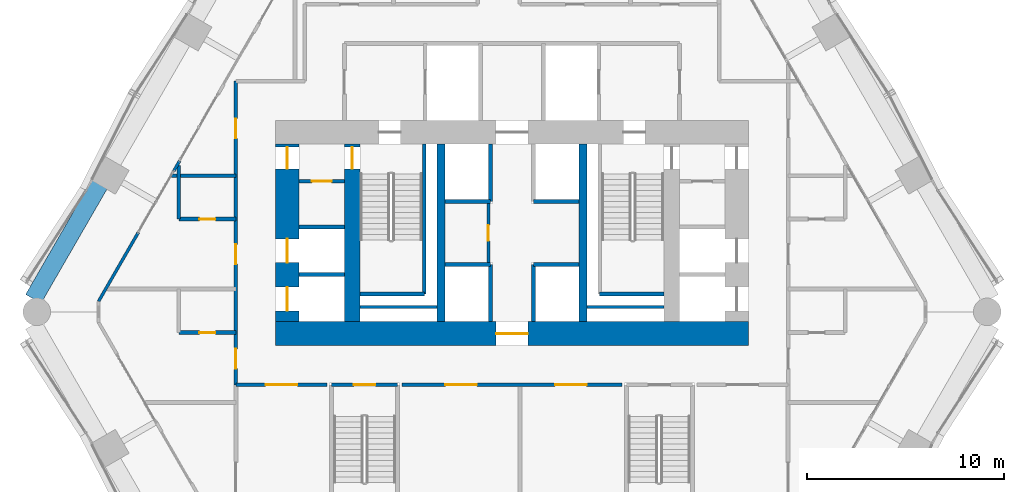
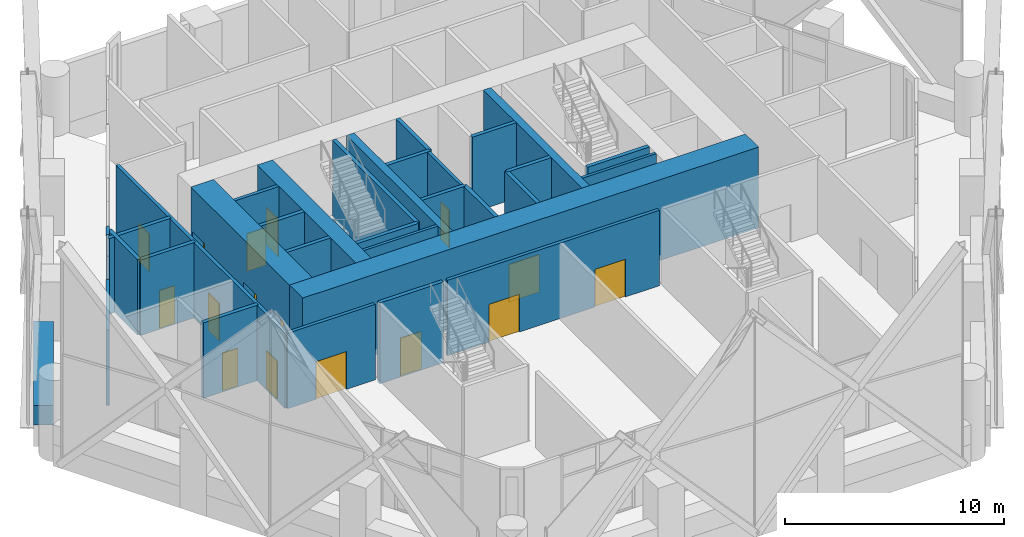
# One storey, part 37 of 46: 32 walls, 16 doors, 16 openings.
"""IFC4 building model written with IfcOpenShell, lengths in metres."""

from ifc_helpers import new_model, si_unit, direction, frame, frame_2d, origin, place, context, subcontext, project, spatial, rectangle, extrude, material, layer, layer_set, type_object, element, fill, save


model = new_model("IFC4")

# Units and contexts
model_context = context("Model", 3, precision=1e-05, world=origin(), true_north=direction((0.0, 1.0)))
body_context = subcontext(model_context, "Body", "Model", "MODEL_VIEW")
ifc_project = project(units=[si_unit("LENGTHUNIT", "METRE"), si_unit("AREAUNIT", "SQUARE_METRE"), si_unit("VOLUMEUNIT", "CUBIC_METRE"), si_unit("PLANEANGLEUNIT", "RADIAN"), si_unit("MASSUNIT", "GRAM", prefix="KILO")], contexts=[model_context])

# Site, building, storey
site_placement = place(None, origin())
site = spatial("IfcSite", under=ifc_project, at=site_placement, CompositionType="ELEMENT")
building_placement = place(site_placement, origin())
building = spatial("IfcBuilding", under=site, at=building_placement, Name="Ostrander Bayou Hotel Tower", CompositionType="ELEMENT")
storey_placement = place(building_placement, frame((0.0, 0.0, 23.5)))
storey = spatial("IfcBuildingStorey", under=building, at=storey_placement, Name="L05", CompositionType="ELEMENT", Elevation=23.5)

# Wall, opening, door
ifc_material_1 = material(Name="Concrete f'c 70 MPa", Category="concrete")
ifc_layer_1 = layer(ifc_material_1, 1.199951171875)
ifc_layer_set_1 = layer_set([ifc_layer_1], Name="CW1 core wall 1200 mm f'c 70 MPa")
wall_type_1 = type_object("IfcWallType", Name="CW1 core wall 1200 mm f'c 70 MPa", PredefinedType="SHEAR", material=ifc_layer_set_1)
wall_1_placement = place(storey_placement, frame((-12.0, -1.10009765625, -0.300048828125), z_axis=(0.0, 0.0, 1.0), x_axis=(1.0, 0.0, 0.0)))
wall_1 = element("IfcWall", 1, at=wall_1_placement, inside=storey, type_object=wall_type_1, Name="CW1 L05 S", PredefinedType="SHEAR", context=body_context, shape_type="SweptSolid", body=[
    extrude(rectangle(XDim=24.0, YDim=1.199951171875, at=frame_2d((12.0, 0.0))), origin(), (0.0, 0.0, 1.0), 4.5),
])
opening_1_placement = place(wall_1_placement, frame((11.199951171875, 0.0, 0.0)))
opening_1 = element("IfcOpeningElement", 2, at=opening_1_placement, cuts=wall_1, Name="Opening T05-001", PredefinedType="OPENING", context=body_context, shape_type="SweptSolid", body=[
    extrude(rectangle(XDim=1.60009765625, YDim=2.10009765625, at=frame_2d((0.800048828125, 1.050048828125))), frame((0.0, 0.60009765625, 0.0), z_axis=(0.0, -1.0, 0.0), x_axis=(1.0, 0.0, 0.0)), (0.0, 0.0, 1.0), 1.199951171875),
])
ifc_material_2 = material(Name="Timber door leaf", Category="wood")
door_type_1 = type_object("IfcDoorType", Name="D13 double door 1600 x 2100 mm, 1 hour", OperationType="SINGLE_SWING_LEFT", PredefinedType="DOOR", material=ifc_material_2)
door_1_placement = place(opening_1_placement, origin())
door_1 = element("IfcDoor", 3, at=door_1_placement, inside=storey, type_object=door_type_1, Name="dr:L05:001", OperationType="DOUBLE_DOOR_SINGLE_SWING", OverallHeight=2.10009765625, OverallWidth=1.60009765625, PredefinedType="DOOR", context=body_context, shape_type="SweptSolid", body=[
    extrude(rectangle(XDim=1.60009765625, YDim=2.10009765625, at=frame_2d((0.800048828125, 1.050048828125))), frame((0.0, 0.02490234375, 0.0), z_axis=(0.0, -1.0, 0.0), x_axis=(1.0, 0.0, 0.0)), (0.0, 0.0, 1.0), 0.050048828125),
])
fill(opening_1, door_1)

# Wall, openings, doors
wall_2_placement = place(storey_placement, frame((-11.39990234375, -0.5, -0.300048828125), z_axis=(0.0, 0.0, 1.0), x_axis=(0.0, 1.0, 0.0)))
wall_2 = element("IfcWall", 4, at=wall_2_placement, inside=storey, type_object=wall_type_1, Name="CW1 L05 RW", PredefinedType="SHEAR", context=body_context, shape_type="SweptSolid", body=[
    extrude(rectangle(XDim=9.0, YDim=1.199951171875, at=frame_2d((4.5, 0.0))), origin(), (0.0, 0.0, 1.0), 4.5),
])
opening_2_placement = place(wall_2_placement, frame((7.75, 0.0, 0.0)))
opening_2 = element("IfcOpeningElement", 5, at=opening_2_placement, cuts=wall_2, Name="Opening T05-015", PredefinedType="OPENING", context=body_context, shape_type="SweptSolid", body=[
    extrude(rectangle(XDim=1.10009765625, YDim=2.10009765625, at=frame_2d((0.550048828125, 1.050048828125))), frame((0.0, 0.60009765625, 0.0), z_axis=(0.0, -1.0, 0.0), x_axis=(1.0, 0.0, 0.0)), (0.0, 0.0, 1.0), 1.199951171875),
])
opening_3_placement = place(wall_2_placement, frame((0.550048828125, 0.0, 0.0)))
opening_3 = element("IfcOpeningElement", 6, at=opening_3_placement, cuts=wall_2, Name="Opening T05-016", PredefinedType="OPENING", context=body_context, shape_type="SweptSolid", body=[
    extrude(rectangle(XDim=1.199951171875, YDim=2.10009765625, at=frame_2d((0.60009765625, 1.050048828125))), frame((0.0, 0.60009765625, 0.0), z_axis=(0.0, -1.0, 0.0), x_axis=(1.0, 0.0, 0.0)), (0.0, 0.0, 1.0), 1.199951171875),
])
opening_4_placement = place(wall_2_placement, frame((3.0, 0.0, 0.0)))
opening_4 = element("IfcOpeningElement", 7, at=opening_4_placement, cuts=wall_2, Name="Opening T05-017", PredefinedType="OPENING", context=body_context, shape_type="SweptSolid", body=[
    extrude(rectangle(XDim=1.199951171875, YDim=2.10009765625, at=frame_2d((0.60009765625, 1.050048828125))), frame((0.0, 0.60009765625, 0.0), z_axis=(0.0, -1.0, 0.0), x_axis=(1.0, 0.0, 0.0)), (0.0, 0.0, 1.0), 1.199951171875),
])
ifc_material_3 = material(Name="Timber door leaf", Category="wood")
door_type_2 = type_object("IfcDoorType", Name="D5 stair door 1100 x 2100 mm, 90 minute", OperationType="SINGLE_SWING_LEFT", PredefinedType="DOOR", material=ifc_material_3)
door_2_placement = place(opening_2_placement, origin())
door_2 = element("IfcDoor", 8, at=door_2_placement, inside=storey, type_object=door_type_2, Name="dr:L05:015", OperationType="SINGLE_SWING_LEFT", OverallHeight=2.10009765625, OverallWidth=1.10009765625, PredefinedType="DOOR", context=body_context, shape_type="SweptSolid", body=[
    extrude(rectangle(XDim=1.10009765625, YDim=2.10009765625, at=frame_2d((0.550048828125, 1.050048828125))), frame((0.0, 0.02490234375, 0.0), z_axis=(0.0, -1.0, 0.0), x_axis=(1.0, 0.0, 0.0)), (0.0, 0.0, 1.0), 0.050048828125),
])
fill(opening_2, door_2)
ifc_material_4 = material(Name="Stainless steel sliding door", Category="steel")
door_type_3 = type_object("IfcDoorType", Name="LD1 lift landing door 1200 x 2100 mm", OperationType="SINGLE_SWING_LEFT", PredefinedType="DOOR", material=ifc_material_4)
door_3_placement = place(opening_3_placement, origin())
door_3 = element("IfcDoor", 9, at=door_3_placement, inside=storey, type_object=door_type_3, Name="dr:L05:016", OperationType="SLIDING_TO_LEFT", OverallHeight=2.10009765625, OverallWidth=1.199951171875, PredefinedType="DOOR", context=body_context, shape_type="SweptSolid", body=[
    extrude(rectangle(XDim=1.199951171875, YDim=2.10009765625, at=frame_2d((0.60009765625, 1.050048828125))), frame((0.0, 0.02490234375, 0.0), z_axis=(0.0, -1.0, 0.0), x_axis=(1.0, 0.0, 0.0)), (0.0, 0.0, 1.0), 0.050048828125),
])
fill(opening_3, door_3)
door_4_placement = place(opening_4_placement, origin())
door_4 = element("IfcDoor", 10, at=door_4_placement, inside=storey, type_object=door_type_3, Name="dr:L05:017", OperationType="SLIDING_TO_LEFT", OverallHeight=2.10009765625, OverallWidth=1.199951171875, PredefinedType="DOOR", context=body_context, shape_type="SweptSolid", body=[
    extrude(rectangle(XDim=1.199951171875, YDim=2.10009765625, at=frame_2d((0.60009765625, 1.050048828125))), frame((0.0, 0.02490234375, 0.0), z_axis=(0.0, -1.0, 0.0), x_axis=(1.0, 0.0, 0.0)), (0.0, 0.0, 1.0), 0.050048828125),
])
fill(opening_4, door_4)

# Wall, opening, door
ifc_material_5 = material(Name="Concrete f'c 70 MPa", Category="concrete")
ifc_layer_2 = layer(ifc_material_5, 0.800048828125)
ifc_layer_set_2 = layer_set([ifc_layer_2], Name="CW2 core spine wall 800 mm f'c 70 MPa")
wall_type_2 = type_object("IfcWallType", Name="CW2 core spine wall 800 mm f'c 70 MPa", PredefinedType="SHEAR", material=ifc_layer_set_2)
wall_3_placement = place(storey_placement, frame((-8.10009765625, -0.5, -0.300048828125), z_axis=(0.0, 0.0, 1.0), x_axis=(0.0, 1.0, 0.0)))
wall_3 = element("IfcWall", 11, at=wall_3_placement, inside=storey, type_object=wall_type_2, Name="CW2 L05 W", PredefinedType="SHEAR", context=body_context, shape_type="SweptSolid", body=[
    extrude(rectangle(XDim=9.0, YDim=0.800048828125, at=frame_2d((4.5, 0.0))), origin(), (0.0, 0.0, 1.0), 4.5),
])
opening_5_placement = place(wall_3_placement, frame((7.75, 0.0, 0.0)))
opening_5 = element("IfcOpeningElement", 12, at=opening_5_placement, cuts=wall_3, Name="Opening T05-004", PredefinedType="OPENING", context=body_context, shape_type="SweptSolid", body=[
    extrude(rectangle(XDim=1.10009765625, YDim=2.10009765625, at=frame_2d((0.550048828125, 1.050048828125))), frame((0.0, 0.39990234375, 0.0), z_axis=(0.0, -1.0, 0.0), x_axis=(1.0, 0.0, 0.0)), (0.0, 0.0, 1.0), 0.800048828125),
])
door_5_placement = place(opening_5_placement, origin())
door_5 = element("IfcDoor", 13, at=door_5_placement, inside=storey, type_object=door_type_2, Name="dr:L05:004", OperationType="SINGLE_SWING_RIGHT", OverallHeight=2.10009765625, OverallWidth=1.10009765625, PredefinedType="DOOR", context=body_context, shape_type="SweptSolid", body=[
    extrude(rectangle(XDim=1.10009765625, YDim=2.10009765625, at=frame_2d((0.550048828125, 1.050048828125))), frame((0.0, 0.02490234375, 0.0), z_axis=(0.0, -1.0, 0.0), x_axis=(1.0, 0.0, 0.0)), (0.0, 0.0, 1.0), 0.050048828125),
])
fill(opening_5, door_5)

# Walls
ifc_material_6 = material(Name="Concrete f'c 70 MPa", Category="concrete")
ifc_layer_3 = layer(ifc_material_6, 0.39990234375)
ifc_layer_set_3 = layer_set([ifc_layer_3], Name="CW3 core bank wall 400 mm f'c 70 MPa")
wall_type_3 = type_object("IfcWallType", Name="CW3 core bank wall 400 mm f'c 70 MPa", PredefinedType="SHEAR", material=ifc_layer_set_3)
for number, where, z_axis, x_axis, name in (
    (14, (-3.60009765625, -0.5, -0.300048828125), (0.0, 0.0, 1.0), (0.0, 1.0, 0.0), "CW3 L05 CW"),
    (15, (3.60009765625, -0.5, -0.300048828125), (0.0, 0.0, 1.0), (0.0, 1.0, 0.0), "CW3 L05 CE"),
):
    element("IfcWall", number, at=place(storey_placement, frame(where, z_axis=z_axis, x_axis=x_axis)), inside=storey, type_object=wall_type_3, Name=name, PredefinedType="SHEAR", context=body_context, shape_type="SweptSolid", body=[
        extrude(rectangle(XDim=9.0, YDim=0.39990234375, at=frame_2d((4.5, 0.0))), origin(), (0.0, 0.0, 1.0), 4.5),
    ])
ifc_material_7 = material(Name="Aluminium framed insulated wall", Category="aluminium")
ifc_layer_4 = layer(ifc_material_7, 0.14990234375)
ifc_layer_set_4 = layer_set([ifc_layer_4], Name="GW1 glass-line wall 150 mm")
wall_type_4 = type_object("IfcWallType", Name="GW1 glass-line wall 150 mm", PredefinedType="SOLIDWALL", material=ifc_layer_set_4)
wall_4_placement = place(storey_placement, frame((-18.95654296875, 4.016357421875, 0.0), z_axis=(0.0, 0.0, 1.0), x_axis=(-0.500009633848, -0.866019841608, 0.0)))
element("IfcWall", 16, at=wall_4_placement, inside=storey, type_object=wall_type_4, Name="GW1 L05 NW end 2", PredefinedType="SOLIDWALL", context=body_context, shape_type="SweptSolid", body=[
    extrude(rectangle(XDim=4.02294921875, YDim=0.14990234375, at=frame_2d((2.011474609375, 0.0))), origin(), (0.0, 0.0, 1.0), 4.199951171875),
])
wall_5_placement = place(storey_placement, frame((-16.8564453125, 7.65380859375, 0.0), z_axis=(0.0, 0.0, 1.0), x_axis=(-0.499945471869, -0.866056883327, 0.0)))
element("IfcWall", 17, at=wall_5_placement, inside=storey, type_object=wall_type_4, Name="GW1 L05 NW pier 4", PredefinedType="SOLIDWALL", context=body_context, shape_type="SweptSolid", body=[
    extrude(rectangle(XDim=0.60009765625, YDim=0.14990234375, at=frame_2d((0.300048828125, 0.0))), origin(), (0.0, 0.0, 1.0), 4.199951171875),
])
ifc_material_8 = material(Name="Concrete f'c 40 MPa", Category="concrete")
ifc_layer_5 = layer(ifc_material_8, 0.89990234375)
ifc_layer_set_5 = layer_set([ifc_layer_5], Name="PA1 stone-faced parapet 900 mm")
wall_type_5 = type_object("IfcWallType", Name="PA1 stone-faced parapet 900 mm", PredefinedType="PARAPET", material=ifc_layer_set_5)
wall_6_placement = place(storey_placement, frame((-20.92236328125, 6.46142578125, 0.0), z_axis=(0.0, 0.0, 1.0), x_axis=(-0.500005133765, -0.866022439784, 0.0)))
element("IfcWall", 18, at=wall_6_placement, inside=storey, type_object=wall_type_5, Name="PA1 L05 NW-3", PredefinedType="PARAPET", context=body_context, shape_type="SweptSolid", body=[
    extrude(rectangle(XDim=6.70361328125, YDim=0.89990234375, at=frame_2d((3.351806640625, 0.0))), origin(), (0.0, 0.0, 1.0), 1.10009765625),
])

# Wall, opening, door
ifc_material_9 = material(Name="Gypsum board partition", Category="finish")
ifc_layer_6 = layer(ifc_material_9, 0.199951171875)
ifc_layer_set_6 = layer_set([ifc_layer_6], Name="PT3 demising wall 200 mm acoustic double stud, 1 hour")
wall_type_6 = type_object("IfcWallType", Name="PT3 demising wall 200 mm acoustic double stud, 1 hour", PredefinedType="PARTITIONING", material=ifc_layer_set_6)
wall_7_placement = place(storey_placement, frame((-16.89990234375, -1.050048828125, 0.0), z_axis=(0.0, 0.0, 1.0), x_axis=(1.0, 0.0, 0.0)))
wall_7 = element("IfcWall", 19, at=wall_7_placement, inside=storey, type_object=wall_type_6, Name="sw:L05:016", PredefinedType="PARTITIONING", context=body_context, shape_type="SweptSolid", body=[
    extrude(rectangle(XDim=2.89990234375, YDim=0.199951171875, at=frame_2d((1.449951171875, 0.0))), origin(), (0.0, 0.0, 1.0), 4.199951171875),
])
opening_6_placement = place(wall_7_placement, frame((1.050048828125, 0.0, 0.0)))
opening_6 = element("IfcOpeningElement", 20, at=opening_6_placement, cuts=wall_7, Name="Opening T05-207", PredefinedType="OPENING", context=body_context, shape_type="SweptSolid", body=[
    extrude(rectangle(XDim=0.800048828125, YDim=2.10009765625, at=frame_2d((0.39990234375, 1.050048828125))), frame((0.0, 0.10009765625, 0.0), z_axis=(0.0, -1.0, 0.0), x_axis=(1.0, 0.0, 0.0)), (0.0, 0.0, 1.0), 0.199951171875),
])
ifc_material_10 = material(Name="Timber door leaf", Category="wood")
door_type_4 = type_object("IfcDoorType", Name="D2 bathroom door 800 x 2100 mm", OperationType="SINGLE_SWING_LEFT", PredefinedType="DOOR", material=ifc_material_10)
door_6_placement = place(opening_6_placement, origin())
door_6 = element("IfcDoor", 21, at=door_6_placement, inside=storey, type_object=door_type_4, Name="dr:L05:207", OperationType="SINGLE_SWING_LEFT", OverallHeight=2.10009765625, OverallWidth=0.800048828125, PredefinedType="DOOR", context=body_context, shape_type="SweptSolid", body=[
    extrude(rectangle(XDim=0.800048828125, YDim=2.10009765625, at=frame_2d((0.39990234375, 1.050048828125))), frame((0.0, 0.02490234375, 0.0), z_axis=(0.0, -1.0, 0.0), x_axis=(1.0, 0.0, 0.0)), (0.0, 0.0, 1.0), 0.050048828125),
])
fill(opening_6, door_6)

wall_8_placement = place(storey_placement, frame((-16.89990234375, 4.699951171875, 0.0), z_axis=(0.0, 0.0, 1.0), x_axis=(1.0, 0.0, 0.0)))
wall_8 = element("IfcWall", 22, at=wall_8_placement, inside=storey, type_object=wall_type_6, Name="sw:L05:020", PredefinedType="PARTITIONING", context=body_context, shape_type="SweptSolid", body=[
    extrude(rectangle(XDim=2.89990234375, YDim=0.199951171875, at=frame_2d((1.449951171875, 0.0))), origin(), (0.0, 0.0, 1.0), 4.199951171875),
])
opening_7_placement = place(wall_8_placement, frame((1.050048828125, 0.0, 0.0)))
opening_7 = element("IfcOpeningElement", 23, at=opening_7_placement, cuts=wall_8, Name="Opening T05-209", PredefinedType="OPENING", context=body_context, shape_type="SweptSolid", body=[
    extrude(rectangle(XDim=0.800048828125, YDim=2.10009765625, at=frame_2d((0.39990234375, 1.050048828125))), frame((0.0, 0.10009765625, 0.0), z_axis=(0.0, -1.0, 0.0), x_axis=(1.0, 0.0, 0.0)), (0.0, 0.0, 1.0), 0.199951171875),
])
door_7_placement = place(opening_7_placement, origin())
door_7 = element("IfcDoor", 24, at=door_7_placement, inside=storey, type_object=door_type_4, Name="dr:L05:209", OperationType="SINGLE_SWING_LEFT", OverallHeight=2.10009765625, OverallWidth=0.800048828125, PredefinedType="DOOR", context=body_context, shape_type="SweptSolid", body=[
    extrude(rectangle(XDim=0.800048828125, YDim=2.10009765625, at=frame_2d((0.39990234375, 1.050048828125))), frame((0.0, 0.02490234375, 0.0), z_axis=(0.0, -1.0, 0.0), x_axis=(1.0, 0.0, 0.0)), (0.0, 0.0, 1.0), 0.050048828125),
])
fill(opening_7, door_7)

# Walls
wall_9_placement = place(storey_placement, frame((-17.2705078125, 6.89990234375, 0.0), z_axis=(0.0, 0.0, 1.0), x_axis=(1.0, 0.0, 0.0)))
element("IfcWall", 25, at=wall_9_placement, inside=storey, type_object=wall_type_6, Name="sw:L05:022", PredefinedType="PARTITIONING", context=body_context, shape_type="SweptSolid", body=[
    extrude(rectangle(XDim=3.2705078125, YDim=0.199951171875, at=frame_2d((1.63525390625, 0.0))), origin(), (0.0, 0.0, 1.0), 4.199951171875),
])
wall_10_placement = place(storey_placement, frame((-16.89990234375, 4.699951171875, 0.0), z_axis=(0.0, 0.0, 1.0), x_axis=(0.0, 1.0, 0.0)))
element("IfcWall", 26, at=wall_10_placement, inside=storey, type_object=wall_type_6, Name="sw:L05:025", PredefinedType="PARTITIONING", context=body_context, shape_type="SweptSolid", body=[
    extrude(rectangle(XDim=2.723388671875, YDim=0.199951171875, at=frame_2d((1.36181640625, 0.0))), origin(), (0.0, 0.0, 1.0), 4.199951171875),
])

# Wall, opening, door
ifc_material_11 = material(Name="Gypsum board partition", Category="finish")
ifc_layer_7 = layer(ifc_material_11, 0.175048828125)
ifc_layer_set_7 = layer_set([ifc_layer_7], Name="PT4 corridor wall 175 mm, 1 hour")
wall_type_7 = type_object("IfcWallType", Name="PT4 corridor wall 175 mm, 1 hour", PredefinedType="PARTITIONING", material=ifc_layer_set_7)
wall_11_placement = place(storey_placement, frame((-10.800048828125, 6.614013671875, 0.0), z_axis=(0.0, 0.0, 1.0), x_axis=(1.0, 0.0, 0.0)))
wall_11 = element("IfcWall", 27, at=wall_11_placement, inside=storey, type_object=wall_type_7, Name="cs:L05:033", PredefinedType="PARTITIONING", context=body_context, shape_type="SweptSolid", body=[
    extrude(rectangle(XDim=2.300048828125, YDim=0.175048828125, at=frame_2d((1.14990234375, 0.0))), origin(), (0.0, 0.0, 1.0), 4.199951171875),
])
opening_8_placement = place(wall_11_placement, frame((0.64990234375, 0.0, 0.0)))
opening_8 = element("IfcOpeningElement", 28, at=opening_8_placement, cuts=wall_11, Name="Opening T05-014", PredefinedType="OPENING", context=body_context, shape_type="SweptSolid", body=[
    extrude(rectangle(XDim=1.0, YDim=2.10009765625, at=frame_2d((0.5, 1.050048828125))), frame((0.0, 0.08740234375, 0.0), z_axis=(0.0, -1.0, 0.0), x_axis=(1.0, 0.0, 0.0)), (0.0, 0.0, 1.0), 0.175048828125),
])
ifc_material_12 = material(Name="Timber door leaf", Category="wood")
door_type_5 = type_object("IfcDoorType", Name="D4 corridor door 1000 x 2100 mm, 1 hour", OperationType="SINGLE_SWING_LEFT", PredefinedType="DOOR", material=ifc_material_12)
door_8_placement = place(opening_8_placement, origin())
door_8 = element("IfcDoor", 29, at=door_8_placement, inside=storey, type_object=door_type_5, Name="dr:L05:014", OperationType="SINGLE_SWING_LEFT", OverallHeight=2.10009765625, OverallWidth=1.0, PredefinedType="DOOR", context=body_context, shape_type="SweptSolid", body=[
    extrude(rectangle(XDim=1.0, YDim=2.10009765625, at=frame_2d((0.5, 1.050048828125))), frame((0.0, 0.02490234375, 0.0), z_axis=(0.0, -1.0, 0.0), x_axis=(1.0, 0.0, 0.0)), (0.0, 0.0, 1.0), 0.050048828125),
])
fill(opening_8, door_8)

wall_12_placement = place(storey_placement, frame((-14.0, -3.699951171875, 0.0), z_axis=(0.0, 0.0, 1.0), x_axis=(1.0, 0.0, 0.0)))
wall_12 = element("IfcWall", 30, at=wall_12_placement, inside=storey, type_object=wall_type_7, Name="sw:L05:001", PredefinedType="PARTITIONING", context=body_context, shape_type="SweptSolid", body=[
    extrude(rectangle(XDim=4.6201171875, YDim=0.175048828125, at=frame_2d((2.31005859375, 0.0))), origin(), (0.0, 0.0, 1.0), 4.199951171875),
])
opening_9_placement = place(wall_12_placement, frame((1.510009765625, 0.0, 0.0)))
opening_9 = element("IfcOpeningElement", 31, at=opening_9_placement, cuts=wall_12, Name="Opening T05-200", PredefinedType="OPENING", context=body_context, shape_type="SweptSolid", body=[
    extrude(rectangle(XDim=1.60009765625, YDim=2.10009765625, at=frame_2d((0.800048828125, 1.050048828125))), frame((0.0, 0.08740234375, 0.0), z_axis=(0.0, -1.0, 0.0), x_axis=(1.0, 0.0, 0.0)), (0.0, 0.0, 1.0), 0.175048828125),
])
door_9_placement = place(opening_9_placement, origin())
door_9 = element("IfcDoor", 32, at=door_9_placement, inside=storey, type_object=door_type_1, Name="dr:L05:200", OperationType="DOUBLE_DOOR_SINGLE_SWING", OverallHeight=2.10009765625, OverallWidth=1.60009765625, PredefinedType="DOOR", context=body_context, shape_type="SweptSolid", body=[
    extrude(rectangle(XDim=1.60009765625, YDim=2.10009765625, at=frame_2d((0.800048828125, 1.050048828125))), frame((0.0, 0.02490234375, 0.0), z_axis=(0.0, -1.0, 0.0), x_axis=(1.0, 0.0, 0.0)), (0.0, 0.0, 1.0), 0.050048828125),
])
fill(opening_9, door_9)

# Wall, openings, doors
wall_13_placement = place(storey_placement, frame((-5.570068359375, -3.699951171875, 0.0), z_axis=(0.0, 0.0, 1.0), x_axis=(1.0, 0.0, 0.0)))
wall_13 = element("IfcWall", 33, at=wall_13_placement, inside=storey, type_object=wall_type_7, Name="sw:L05:002", PredefinedType="PARTITIONING", context=body_context, shape_type="SweptSolid", body=[
    extrude(rectangle(XDim=11.14013671875, YDim=0.175048828125, at=frame_2d((5.570068359375, 0.0))), origin(), (0.0, 0.0, 1.0), 4.199951171875),
])
opening_10_placement = place(wall_13_placement, frame((2.18505859375, 0.0, 0.0)))
opening_10 = element("IfcOpeningElement", 34, at=opening_10_placement, cuts=wall_13, Name="Opening T05-201", PredefinedType="OPENING", context=body_context, shape_type="SweptSolid", body=[
    extrude(rectangle(XDim=1.60009765625, YDim=2.10009765625, at=frame_2d((0.800048828125, 1.050048828125))), frame((0.0, 0.08740234375, 0.0), z_axis=(0.0, -1.0, 0.0), x_axis=(1.0, 0.0, 0.0)), (0.0, 0.0, 1.0), 0.175048828125),
])
opening_11_placement = place(wall_13_placement, frame((7.7548828125, 0.0, 0.0)))
opening_11 = element("IfcOpeningElement", 35, at=opening_11_placement, cuts=wall_13, Name="Opening T05-202", PredefinedType="OPENING", context=body_context, shape_type="SweptSolid", body=[
    extrude(rectangle(XDim=1.60009765625, YDim=2.10009765625, at=frame_2d((0.800048828125, 1.050048828125))), frame((0.0, 0.08740234375, 0.0), z_axis=(0.0, -1.0, 0.0), x_axis=(1.0, 0.0, 0.0)), (0.0, 0.0, 1.0), 0.175048828125),
])
door_10_placement = place(opening_10_placement, origin())
door_10 = element("IfcDoor", 36, at=door_10_placement, inside=storey, type_object=door_type_1, Name="dr:L05:201", OperationType="DOUBLE_DOOR_SINGLE_SWING", OverallHeight=2.10009765625, OverallWidth=1.60009765625, PredefinedType="DOOR", context=body_context, shape_type="SweptSolid", body=[
    extrude(rectangle(XDim=1.60009765625, YDim=2.10009765625, at=frame_2d((0.800048828125, 1.050048828125))), frame((0.0, 0.02490234375, 0.0), z_axis=(0.0, -1.0, 0.0), x_axis=(1.0, 0.0, 0.0)), (0.0, 0.0, 1.0), 0.050048828125),
])
fill(opening_10, door_10)
door_11_placement = place(opening_11_placement, origin())
door_11 = element("IfcDoor", 37, at=door_11_placement, inside=storey, type_object=door_type_1, Name="dr:L05:202", OperationType="DOUBLE_DOOR_SINGLE_SWING", OverallHeight=2.10009765625, OverallWidth=1.60009765625, PredefinedType="DOOR", context=body_context, shape_type="SweptSolid", body=[
    extrude(rectangle(XDim=1.60009765625, YDim=2.10009765625, at=frame_2d((0.800048828125, 1.050048828125))), frame((0.0, 0.02490234375, 0.0), z_axis=(0.0, -1.0, 0.0), x_axis=(1.0, 0.0, 0.0)), (0.0, 0.0, 1.0), 0.050048828125),
])
fill(opening_11, door_11)

wall_14_placement = place(storey_placement, frame((-14.0, -3.699951171875, 0.0), z_axis=(0.0, 0.0, 1.0), x_axis=(0.0, 1.0, 0.0)))
wall_14 = element("IfcWall", 38, at=wall_14_placement, inside=storey, type_object=wall_type_7, Name="sw:L05:008", PredefinedType="PARTITIONING", context=body_context, shape_type="SweptSolid", body=[
    extrude(rectangle(XDim=15.39990234375, YDim=0.175048828125, at=frame_2d((7.699951171875, 0.0))), origin(), (0.0, 0.0, 1.0), 4.199951171875),
])
opening_12_placement = place(wall_14_placement, frame((0.824951171875, 0.0, 0.0)))
opening_12 = element("IfcOpeningElement", 39, at=opening_12_placement, cuts=wall_14, Name="Opening T05-206", PredefinedType="OPENING", context=body_context, shape_type="SweptSolid", body=[
    extrude(rectangle(XDim=1.0, YDim=2.10009765625, at=frame_2d((0.5, 1.050048828125))), frame((0.0, 0.08740234375, 0.0), z_axis=(0.0, -1.0, 0.0), x_axis=(1.0, 0.0, 0.0)), (0.0, 0.0, 1.0), 0.175048828125),
])
opening_13_placement = place(wall_14_placement, frame((6.125, 0.0, 0.0)))
opening_13 = element("IfcOpeningElement", 40, at=opening_13_placement, cuts=wall_14, Name="Opening T05-208", PredefinedType="OPENING", context=body_context, shape_type="SweptSolid", body=[
    extrude(rectangle(XDim=1.0, YDim=2.10009765625, at=frame_2d((0.5, 1.050048828125))), frame((0.0, 0.08740234375, 0.0), z_axis=(0.0, -1.0, 0.0), x_axis=(1.0, 0.0, 0.0)), (0.0, 0.0, 1.0), 0.175048828125),
])
opening_14_placement = place(wall_14_placement, frame((12.5, 0.0, 0.0)))
opening_14 = element("IfcOpeningElement", 41, at=opening_14_placement, cuts=wall_14, Name="Opening T05-215", PredefinedType="OPENING", context=body_context, shape_type="SweptSolid", body=[
    extrude(rectangle(XDim=1.0, YDim=2.10009765625, at=frame_2d((0.5, 1.050048828125))), frame((0.0, 0.08740234375, 0.0), z_axis=(0.0, -1.0, 0.0), x_axis=(1.0, 0.0, 0.0)), (0.0, 0.0, 1.0), 0.175048828125),
])
ifc_material_13 = material(Name="Timber door leaf", Category="wood")
door_type_6 = type_object("IfcDoorType", Name="D1 guest room door 1000 x 2100 mm, 30 minute", OperationType="SINGLE_SWING_LEFT", PredefinedType="DOOR", material=ifc_material_13)
door_12_placement = place(opening_12_placement, origin())
door_12 = element("IfcDoor", 42, at=door_12_placement, inside=storey, type_object=door_type_6, Name="dr:L05:206", OperationType="SINGLE_SWING_RIGHT", OverallHeight=2.10009765625, OverallWidth=1.0, PredefinedType="DOOR", context=body_context, shape_type="SweptSolid", body=[
    extrude(rectangle(XDim=1.0, YDim=2.10009765625, at=frame_2d((0.5, 1.050048828125))), frame((0.0, 0.02490234375, 0.0), z_axis=(0.0, -1.0, 0.0), x_axis=(1.0, 0.0, 0.0)), (0.0, 0.0, 1.0), 0.050048828125),
])
fill(opening_12, door_12)
door_13_placement = place(opening_13_placement, origin())
door_13 = element("IfcDoor", 43, at=door_13_placement, inside=storey, type_object=door_type_6, Name="dr:L05:208", OperationType="SINGLE_SWING_RIGHT", OverallHeight=2.10009765625, OverallWidth=1.0, PredefinedType="DOOR", context=body_context, shape_type="SweptSolid", body=[
    extrude(rectangle(XDim=1.0, YDim=2.10009765625, at=frame_2d((0.5, 1.050048828125))), frame((0.0, 0.02490234375, 0.0), z_axis=(0.0, -1.0, 0.0), x_axis=(1.0, 0.0, 0.0)), (0.0, 0.0, 1.0), 0.050048828125),
])
fill(opening_13, door_13)
ifc_material_14 = material(Name="Timber door leaf", Category="wood")
door_type_7 = type_object("IfcDoorType", Name="D9 service door 1000 x 2100 mm, 30 minute", OperationType="SINGLE_SWING_LEFT", PredefinedType="DOOR", material=ifc_material_14)
door_14_placement = place(opening_14_placement, origin())
door_14 = element("IfcDoor", 44, at=door_14_placement, inside=storey, type_object=door_type_7, Name="dr:L05:215", OperationType="SINGLE_SWING_LEFT", OverallHeight=2.10009765625, OverallWidth=1.0, PredefinedType="DOOR", context=body_context, shape_type="SweptSolid", body=[
    extrude(rectangle(XDim=1.0, YDim=2.10009765625, at=frame_2d((0.5, 1.050048828125))), frame((0.0, 0.02490234375, 0.0), z_axis=(0.0, -1.0, 0.0), x_axis=(1.0, 0.0, 0.0)), (0.0, 0.0, 1.0), 0.050048828125),
])
fill(opening_14, door_14)

# Walls
ifc_material_15 = material(Name="Masonry block", Category="masonry")
ifc_layer_8 = layer(ifc_material_15, 0.199951171875)
ifc_layer_set_8 = layer_set([ifc_layer_8], Name="PT6 lift shaft wall 200 mm masonry, 2 hour")
wall_type_8 = type_object("IfcWallType", Name="PT6 lift shaft wall 200 mm masonry, 2 hour", PredefinedType="PARTITIONING", material=ifc_layer_set_8)
for number, where, z_axis, x_axis, name in (
    (45, (-3.39990234375, 2.39990234375, 0.0), (0.0, 0.0, 1.0), (1.0, 0.0, 0.0), "cs:L05:001"),
    (46, (-3.39990234375, 5.60009765625, 0.0), (0.0, 0.0, 1.0), (1.0, 0.0, 0.0), "cs:L05:002"),
    (47, (1.10009765625, 2.39990234375, 0.0), (0.0, 0.0, 1.0), (1.0, 0.0, 0.0), "cs:L05:003"),
    (48, (1.10009765625, 5.60009765625, 0.0), (0.0, 0.0, 1.0), (1.0, 0.0, 0.0), "cs:L05:004"),
):
    element("IfcWall", number, at=place(storey_placement, frame(where, z_axis=z_axis, x_axis=x_axis)), inside=storey, type_object=wall_type_8, Name=name, PredefinedType="PARTITIONING", context=body_context, shape_type="SweptSolid", body=[
        extrude(rectangle(XDim=2.2998046875, YDim=0.199951171875, at=frame_2d((1.14990234375, 0.0))), origin(), (0.0, 0.0, 1.0), 4.199951171875),
    ])
for number, where, z_axis, x_axis, name in (
    (49, (-1.10009765625, -0.5, 0.0), (0.0, 0.0, 1.0), (0.0, 1.0, 0.0), "cs:L05:005"),
    (50, (1.10009765625, -0.5, 0.0), (0.0, 0.0, 1.0), (0.0, 1.0, 0.0), "cs:L05:006"),
    (51, (-1.10009765625, 5.60009765625, 0.0), (0.0, 0.0, 1.0), (0.0, 1.0, 0.0), "cs:L05:007"),
):
    element("IfcWall", number, at=place(storey_placement, frame(where, z_axis=z_axis, x_axis=x_axis)), inside=storey, type_object=wall_type_8, Name=name, PredefinedType="PARTITIONING", context=body_context, shape_type="SweptSolid", body=[
        extrude(rectangle(XDim=2.89990234375, YDim=0.199951171875, at=frame_2d((1.449951171875, 0.0))), origin(), (0.0, 0.0, 1.0), 4.199951171875),
    ])
for number, where, z_axis, x_axis, name in (
    (52, (-10.800048828125, 1.89990234375, 0.0), (0.0, 0.0, 1.0), (1.0, 0.0, 0.0), "cs:L05:031"),
    (53, (-10.800048828125, 4.300048828125, 0.0), (0.0, 0.0, 1.0), (1.0, 0.0, 0.0), "cs:L05:032"),
):
    element("IfcWall", number, at=place(storey_placement, frame(where, z_axis=z_axis, x_axis=x_axis)), inside=storey, type_object=wall_type_8, Name=name, PredefinedType="PARTITIONING", context=body_context, shape_type="SweptSolid", body=[
        extrude(rectangle(XDim=2.300048828125, YDim=0.199951171875, at=frame_2d((1.14990234375, 0.0))), origin(), (0.0, 0.0, 1.0), 4.199951171875),
    ])
ifc_material_16 = material(Name="Gypsum board partition", Category="finish")
ifc_layer_9 = layer(ifc_material_16, 0.14990234375)
ifc_layer_set_9 = layer_set([ifc_layer_9], Name="PT7 riser wall 150 mm, 2 hour")
wall_type_9 = type_object("IfcWallType", Name="PT7 riser wall 150 mm, 2 hour", PredefinedType="PARTITIONING", material=ifc_layer_set_9)
for number, where, z_axis, x_axis, name in (
    (54, (-7.699951171875, 0.25, 0.0), (0.0, 0.0, 1.0), (1.0, 0.0, 0.0), "cs:L05:011"),
    (55, (3.800048828125, 0.25, 0.0), (0.0, 0.0, 1.0), (1.0, 0.0, 0.0), "cs:L05:014"),
):
    element("IfcWall", number, at=place(storey_placement, frame(where, z_axis=z_axis, x_axis=x_axis)), inside=storey, type_object=wall_type_9, Name=name, PredefinedType="PARTITIONING", context=body_context, shape_type="SweptSolid", body=[
        extrude(rectangle(XDim=3.89990234375, YDim=0.14990234375, at=frame_2d((1.949951171875, 0.0))), origin(), (0.0, 0.0, 1.0), 4.199951171875),
    ])

# Wall, opening, door
wall_15_placement = place(storey_placement, frame((-1.199951171875, 2.5, 0.0), z_axis=(0.0, 0.0, 1.0), x_axis=(0.0, 1.0, 0.0)))
wall_15 = element("IfcWall", 56, at=wall_15_placement, inside=storey, type_object=wall_type_9, Name="cs:L05:030", PredefinedType="PARTITIONING", context=body_context, shape_type="SweptSolid", body=[
    extrude(rectangle(XDim=3.0, YDim=0.14990234375, at=frame_2d((1.5, 0.0))), origin(), (0.0, 0.0, 1.0), 4.199951171875),
])
opening_15_placement = place(wall_15_placement, frame((1.10009765625, 0.0, 0.0)))
opening_15 = element("IfcOpeningElement", 57, at=opening_15_placement, cuts=wall_15, Name="Opening T05-013", PredefinedType="OPENING", context=body_context, shape_type="SweptSolid", body=[
    extrude(rectangle(XDim=0.800048828125, YDim=2.10009765625, at=frame_2d((0.39990234375, 1.050048828125))), frame((0.0, 0.074951171875, 0.0), z_axis=(0.0, -1.0, 0.0), x_axis=(1.0, 0.0, 0.0)), (0.0, 0.0, 1.0), 0.14990234375),
])
ifc_material_17 = material(Name="Timber door leaf", Category="wood")
door_type_8 = type_object("IfcDoorType", Name="D6 riser door 800 x 2100 mm, 90 minute", OperationType="SINGLE_SWING_LEFT", PredefinedType="DOOR", material=ifc_material_17)
door_15_placement = place(opening_15_placement, origin())
door_15 = element("IfcDoor", 58, at=door_15_placement, inside=storey, type_object=door_type_8, Name="dr:L05:013", OperationType="SINGLE_SWING_LEFT", OverallHeight=2.10009765625, OverallWidth=0.800048828125, PredefinedType="DOOR", context=body_context, shape_type="SweptSolid", body=[
    extrude(rectangle(XDim=0.800048828125, YDim=2.10009765625, at=frame_2d((0.39990234375, 1.050048828125))), frame((0.0, 0.02490234375, 0.0), z_axis=(0.0, -1.0, 0.0), x_axis=(1.0, 0.0, 0.0)), (0.0, 0.0, 1.0), 0.050048828125),
])
fill(opening_15, door_15)

# Walls
ifc_material_18 = material(Name="Concrete f'c 45 MPa", Category="concrete")
ifc_layer_10 = layer(ifc_material_18, 0.199951171875)
ifc_layer_set_10 = layer_set([ifc_layer_10], Name="SW5 stair enclosure wall 200 mm f'c 45 MPa")
wall_type_10 = type_object("IfcWallType", Name="SW5 stair enclosure wall 200 mm f'c 45 MPa", PredefinedType="SOLIDWALL", material=ifc_layer_set_10)
wall_16_placement = place(storey_placement, frame((-4.449951171875, 0.89990234375, -0.300048828125), z_axis=(0.0, 0.0, 1.0), x_axis=(0.0, 1.0, 0.0)))
element("IfcWall", 59, at=wall_16_placement, inside=storey, type_object=wall_type_10, Name="cs:L05:009", PredefinedType="SOLIDWALL", context=body_context, shape_type="SweptSolid", body=[
    extrude(rectangle(XDim=7.60009765625, YDim=0.199951171875, at=frame_2d((3.800048828125, 0.0))), origin(), (0.0, 0.0, 1.0), 4.5),
])
for number, where, z_axis, x_axis, name in (
    (60, (-7.699951171875, 0.89990234375, -0.300048828125), (0.0, 0.0, 1.0), (1.0, 0.0, 0.0), "cs:L05:010"),
    (61, (4.449951171875, 0.89990234375, -0.300048828125), (0.0, 0.0, 1.0), (1.0, 0.0, 0.0), "cs:L05:013"),
):
    element("IfcWall", number, at=place(storey_placement, frame(where, z_axis=z_axis, x_axis=x_axis)), inside=storey, type_object=wall_type_10, Name=name, PredefinedType="SOLIDWALL", context=body_context, shape_type="SweptSolid", body=[
        extrude(rectangle(XDim=3.25, YDim=0.199951171875, at=frame_2d((1.625, 0.0))), origin(), (0.0, 0.0, 1.0), 4.5),
    ])

# Wall, opening, door
wall_17_placement = place(storey_placement, frame((-9.14990234375, -3.699951171875, -0.300048828125), z_axis=(0.0, 0.0, 1.0), x_axis=(1.0, 0.0, 0.0)))
wall_17 = element("IfcWall", 62, at=wall_17_placement, inside=storey, type_object=wall_type_10, Name="cs:L05:019", PredefinedType="SOLIDWALL", context=body_context, shape_type="SweptSolid", body=[
    extrude(rectangle(XDim=3.349853515625, YDim=0.199951171875, at=frame_2d((1.6748046875, 0.0))), origin(), (0.0, 0.0, 1.0), 4.5),
])
opening_16_placement = place(wall_17_placement, frame((1.125, 0.0, 0.0)))
opening_16 = element("IfcOpeningElement", 63, at=opening_16_placement, cuts=wall_17, Name="Opening T05-008", PredefinedType="OPENING", context=body_context, shape_type="SweptSolid", body=[
    extrude(rectangle(XDim=1.10009765625, YDim=2.10009765625, at=frame_2d((0.550048828125, 1.050048828125))), frame((0.0, 0.10009765625, 0.0), z_axis=(0.0, -1.0, 0.0), x_axis=(1.0, 0.0, 0.0)), (0.0, 0.0, 1.0), 0.199951171875),
])
door_16_placement = place(opening_16_placement, origin())
door_16 = element("IfcDoor", 64, at=door_16_placement, inside=storey, type_object=door_type_2, Name="dr:L05:008", OperationType="SINGLE_SWING_LEFT", OverallHeight=2.10009765625, OverallWidth=1.10009765625, PredefinedType="DOOR", context=body_context, shape_type="SweptSolid", body=[
    extrude(rectangle(XDim=1.10009765625, YDim=2.10009765625, at=frame_2d((0.550048828125, 1.050048828125))), frame((0.0, 0.02490234375, 0.0), z_axis=(0.0, -1.0, 0.0), x_axis=(1.0, 0.0, 0.0)), (0.0, 0.0, 1.0), 0.050048828125),
])
fill(opening_16, door_16)

save(model, "model.ifc")
